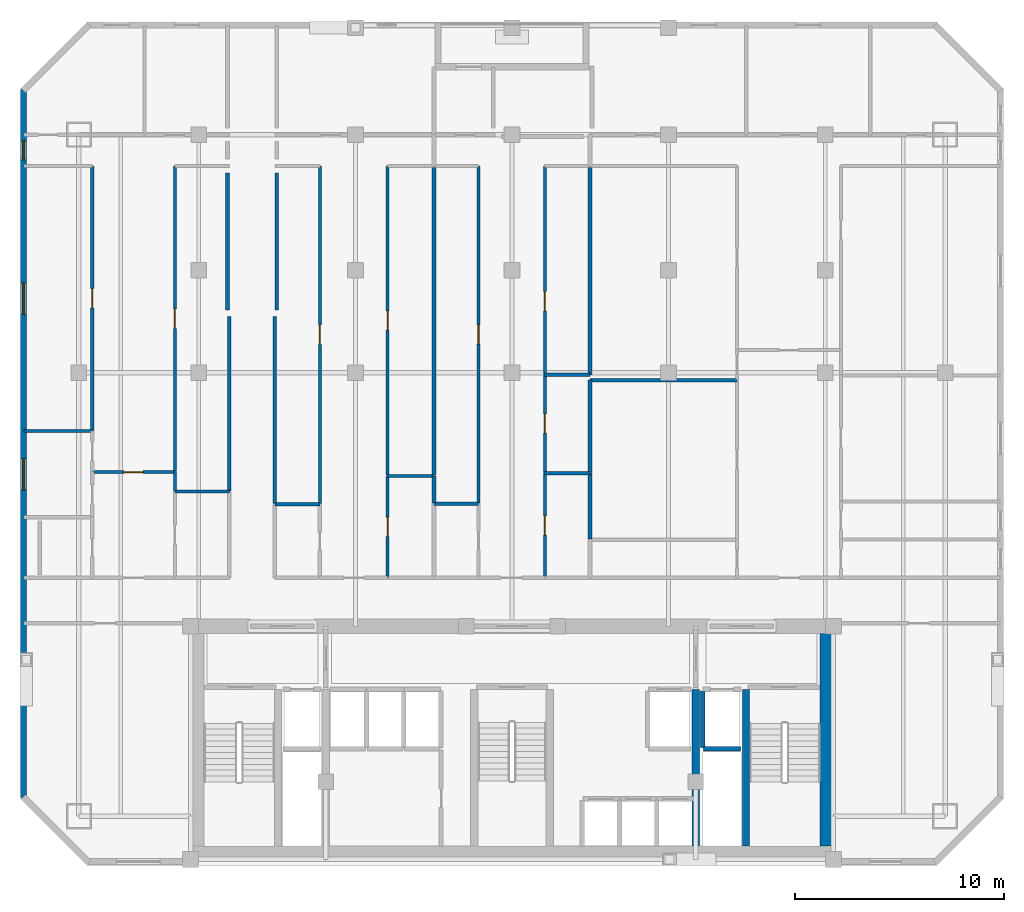
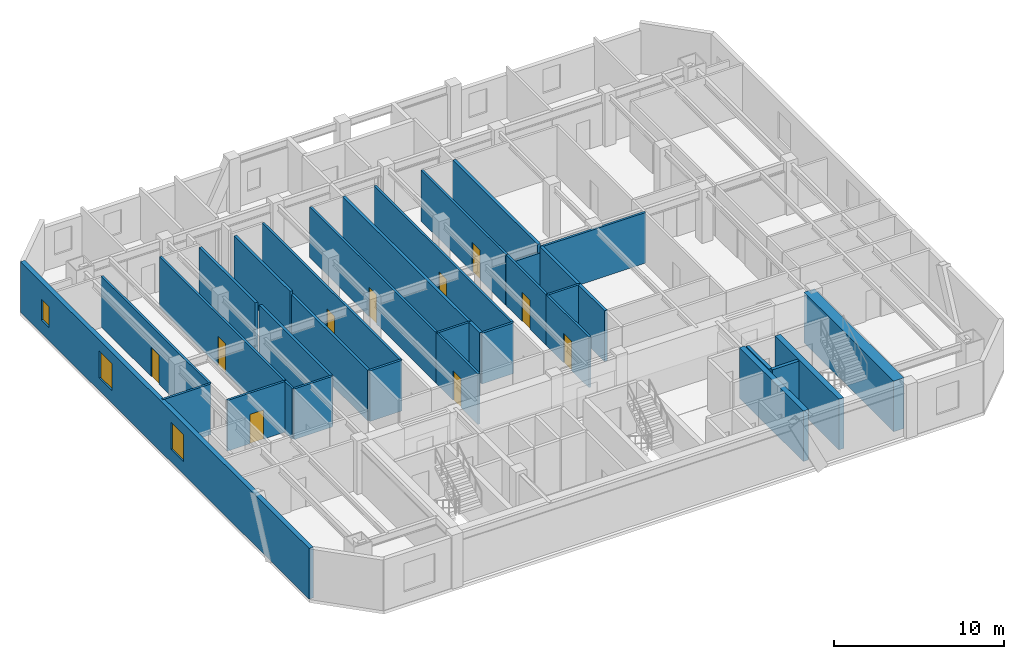
# One storey, part 4 of 8: 34 walls, 10 doors, 3 windows, 13 openings.
"""IFC4 building model written with IfcOpenShell, lengths in metres."""

from ifc_helpers import new_model, si_unit, direction, frame, frame_2d, origin, place, context, subcontext, project, spatial, rectangle, extrude, material, layer, layer_set, type_object, element, fill, save


model = new_model("IFC4")

# Units and contexts
model_context = context("Model", 3, precision=1e-05, world=origin(), true_north=direction((0.0, 1.0)))
body_context = subcontext(model_context, "Body", "Model", "MODEL_VIEW")
ifc_project = project(units=[si_unit("LENGTHUNIT", "METRE"), si_unit("AREAUNIT", "SQUARE_METRE"), si_unit("VOLUMEUNIT", "CUBIC_METRE"), si_unit("PLANEANGLEUNIT", "RADIAN"), si_unit("MASSUNIT", "GRAM", prefix="KILO")], contexts=[model_context])

# Site, building, storey
site_placement = place(None, origin())
site = spatial("IfcSite", under=ifc_project, at=site_placement, CompositionType="ELEMENT")
building_placement = place(site_placement, origin())
building = spatial("IfcBuilding", under=site, at=building_placement, Name="Ventersveld Concourse Tower", CompositionType="ELEMENT")
storey_placement = place(building_placement, frame((0.0, 0.0, 168.300048828125)))
storey = spatial("IfcBuildingStorey", under=building, at=storey_placement, Name="L41", CompositionType="ELEMENT", Elevation=168.300048828125)

# Walls
ifc_material_1 = material(Name="Concrete C60/75", Category="concrete")
ifc_layer_1 = layer(ifc_material_1, 0.35009765625)
ifc_layer_set_1 = layer_set([ifc_layer_1], Name="Concrete C60/75")
wall_type_1 = type_object("IfcWallType", Name="WL-CORE-350L", PredefinedType="SHEAR", material=ifc_layer_set_1)
for number, where, z_axis, x_axis, name in (
    (1, (37.550048828125, 0.919921875, 0.0), (0.0, 0.0, 1.0), (0.0, 1.0, 0.0), "L41 Core Internal Shear Web W-SVL-W"),
    (2, (39.9599609375, 0.919921875, 0.0), (0.0, 0.0, 1.0), (0.0, 1.0, 0.0), "L41 Core Internal Shear Web W-ST2-W"),
):
    element("IfcWall", number, at=place(storey_placement, frame(where, z_axis=z_axis, x_axis=x_axis)), inside=storey, type_object=wall_type_1, Name=name, PredefinedType="SHEAR", context=body_context, shape_type="SweptSolid", body=[
        extrude(rectangle(XDim=7.5, YDim=0.35009765625, at=frame_2d((3.75, 0.0))), origin(), (0.0, 0.0, 1.0), 3.6298828125),
    ])
ifc_layer_2 = layer(ifc_material_1, 0.699951171875)
ifc_layer_set_2 = layer_set([ifc_layer_2], Name="Concrete C60/75")
wall_type_2 = type_object("IfcWallType", Name="WL-CORE-700", PredefinedType="SHEAR", material=ifc_layer_set_2)
wall_1_placement = place(storey_placement, frame((43.85009765625, 0.919921875, 0.0), z_axis=(0.0, 0.0, 1.0), x_axis=(0.0, 1.0, 0.0)))
element("IfcWall", 3, at=wall_1_placement, inside=storey, type_object=wall_type_2, Name="L41 Rear Core East Shear Wall", PredefinedType="SHEAR", context=body_context, shape_type="SweptSolid", body=[
    extrude(rectangle(XDim=10.530029296875, YDim=0.699951171875, at=frame_2d((5.26513671875, 0.0))), origin(), (0.0, 0.0, 1.0), 3.6298828125),
])
ifc_material_2 = material(Name="Fire-rated autoclaved aerated masonry blockwork", Category="masonry")
ifc_layer_3 = layer(ifc_material_2, 0.179931640625)
ifc_layer_set_3 = layer_set([ifc_layer_3], Name="Fire-rated autoclaved aerated masonry blockwork")
wall_type_3 = type_object("IfcWallType", Name="WL-CORR-180", PredefinedType="PARTITIONING", material=ifc_layer_set_3)
wall_2_placement = place(storey_placement, frame((15.2099609375, 17.935546875, 0.0), z_axis=(0.0, 0.0, 1.0), x_axis=(0.0, 1.0, 0.0)))
element("IfcWall", 4, at=wall_2_placement, inside=storey, type_object=wall_type_3, Name="L41 Interior Partition SP-L41-COR-SP-L41-41NW-OFFR1", PredefinedType="PARTITIONING", context=body_context, shape_type="SweptSolid", body=[
    extrude(rectangle(XDim=8.359375, YDim=0.179931640625, at=frame_2d((4.1796875, 0.0))), origin(), (0.0, 0.0, 1.0), 3.6298828125),
])
wall_3_placement = place(storey_placement, frame((17.389892578125, 17.322021484375, 0.0), z_axis=(0.0, 0.0, 1.0), x_axis=(0.0, 1.0, 0.0)))
element("IfcWall", 5, at=wall_3_placement, inside=storey, type_object=wall_type_3, Name="L41 Interior Partition SP-L41-COR-SP-L41-41CW-OFFL0", PredefinedType="PARTITIONING", context=body_context, shape_type="SweptSolid", body=[
    extrude(rectangle(XDim=8.972900390625, YDim=0.179931640625, at=frame_2d((4.486328125, 0.0))), origin(), (0.0, 0.0, 1.0), 3.6298828125),
])
for number, where, z_axis, x_axis, name in (
    (6, (15.1201171875, 33.175048828125, 0.0), (0.0, 0.0, 1.0), (0.0, -1.0, 0.0), "L41 Room Enclosure Wall SP-L41-41NW-OFFR1"),
    (7, (17.47998046875, 26.60986328125, 0.0), (0.0, 0.0, 1.0), (0.0, 1.0, 0.0), "L41 Room Enclosure Wall SP-L41-41CW-OFFL0"),
):
    element("IfcWall", number, at=place(storey_placement, frame(where, z_axis=z_axis, x_axis=x_axis)), inside=storey, type_object=wall_type_3, Name=name, PredefinedType="PARTITIONING", context=body_context, shape_type="SweptSolid", body=[
        extrude(rectangle(XDim=6.565185546875, YDim=0.179931640625, at=frame_2d((3.28271484375, 0.0))), origin(), (0.0, 0.0, 1.0), 3.6298828125),
    ])
ifc_layer_4 = layer(ifc_material_2, 0.199951171875)
ifc_layer_set_4 = layer_set([ifc_layer_4], Name="Fire-rated autoclaved aerated masonry blockwork")
wall_type_4 = type_object("IfcWallType", Name="WL-DEMISE-200", PredefinedType="PARTITIONING", material=ifc_layer_set_4)
wall_4_placement = place(storey_placement, frame((25.010009765625, 17.359619140625, 0.0), z_axis=(0.0, 0.0, 1.0), x_axis=(0.0, 1.0, 0.0)))
element("IfcWall", 8, at=wall_4_placement, inside=storey, type_object=wall_type_4, Name="L41 Interior Partition SP-L41-41CW-KIT-SP-L41-41CM-OFFL0", PredefinedType="PARTITIONING", context=body_context, shape_type="SweptSolid", body=[
    extrude(rectangle(XDim=1.3017578125, YDim=0.199951171875, at=frame_2d((0.65087890625, 0.0))), origin(), (0.0, 0.0, 1.0), 3.6298828125),
])
wall_5_placement = place(storey_placement, frame((25.010009765625, 18.69140625, 0.0), z_axis=(0.0, 0.0, 1.0), x_axis=(0.0, 1.0, 0.0)))
element("IfcWall", 9, at=wall_5_placement, inside=storey, type_object=wall_type_4, Name="L41 Interior Partition SP-L41-41CW-OFFR1-SP-L41-41CM-OFFL0", PredefinedType="PARTITIONING", context=body_context, shape_type="SweptSolid", body=[
    extrude(rectangle(XDim=14.773681640625, YDim=0.199951171875, at=frame_2d((7.38671875, 0.0))), origin(), (0.0, 0.0, 1.0), 3.6298828125),
])
wall_6_placement = place(storey_placement, frame((32.489990234375, 15.635009765625, 0.0), z_axis=(0.0, 0.0, 1.0), x_axis=(0.0, 1.0, 0.0)))
element("IfcWall", 10, at=wall_6_placement, inside=storey, type_object=wall_type_4, Name="L41 Interior Partition SP-L41-41CE-OFFL0-SP-L41-41CM-KIT", PredefinedType="PARTITIONING", context=body_context, shape_type="SweptSolid", body=[
    extrude(rectangle(XDim=3.1533203125, YDim=0.199951171875, at=frame_2d((1.57666015625, 0.0))), origin(), (0.0, 0.0, 1.0), 3.6298828125),
])
wall_7_placement = place(storey_placement, frame((32.489990234375, 18.818359375, 0.0), z_axis=(0.0, 0.0, 1.0), x_axis=(0.0, 1.0, 0.0)))
element("IfcWall", 11, at=wall_7_placement, inside=storey, type_object=wall_type_4, Name="L41 Interior Partition SP-L41-41CE-OFFL0-SP-L41-41CM-PANR1", PredefinedType="PARTITIONING", context=body_context, shape_type="SweptSolid", body=[
    extrude(rectangle(XDim=4.423095703125, YDim=0.199951171875, at=frame_2d((2.21142578125, 0.0))), origin(), (0.0, 0.0, 1.0), 3.6298828125),
])
wall_8_placement = place(storey_placement, frame((32.489990234375, 23.493408203125, 0.0), z_axis=(0.0, 0.0, 1.0), x_axis=(0.0, 1.0, 0.0)))
element("IfcWall", 12, at=wall_8_placement, inside=storey, type_object=wall_type_4, Name="L41 Interior Partition SP-L41-41CE-DENL2-SP-L41-41CM-DENR", PredefinedType="PARTITIONING", context=body_context, shape_type="SweptSolid", body=[
    extrude(rectangle(XDim=9.9716796875, YDim=0.199951171875, at=frame_2d((4.98583984375, 0.0))), origin(), (0.0, 0.0, 1.0), 3.6298828125),
])
ifc_layer_5 = layer(ifc_material_2, 0.219970703125)
ifc_layer_set_5 = layer_set([ifc_layer_5], Name="Fire-rated autoclaved aerated masonry blockwork")
wall_type_5 = type_object("IfcWallType", Name="WL-HOIST-220", PredefinedType="SOLIDWALL", material=ifc_layer_set_5)
wall_9_placement = place(storey_placement, frame((37.919921875, 5.590087890625, 0.0), z_axis=(0.0, 0.0, 1.0), x_axis=(1.0, 0.0, 0.0)))
element("IfcWall", 13, at=wall_9_placement, inside=storey, type_object=wall_type_5, Name="L41 Lift Hoistway Back Wall FFL-02", PredefinedType="SOLIDWALL", context=body_context, shape_type="SweptSolid", body=[
    extrude(rectangle(XDim=1.780029296875, YDim=0.219970703125, at=frame_2d((0.89013671875, 0.0))), origin(), (0.0, 0.0, 1.0), 3.6298828125),
])
wall_10_placement = place(storey_placement, frame((37.8798828125, 5.64990234375, 0.0), z_axis=(0.0, 0.0, 1.0), x_axis=(0.0, 1.0, 0.0)))
element("IfcWall", 14, at=wall_10_placement, inside=storey, type_object=wall_type_5, Name="L41 Lift Hoistway Side Wall FFL-02W", PredefinedType="SOLIDWALL", context=body_context, shape_type="SweptSolid", body=[
    extrude(rectangle(XDim=2.7001953125, YDim=0.219970703125, at=frame_2d((1.35009765625, 0.0))), origin(), (0.0, 0.0, 1.0), 3.6298828125),
])

# Wall, opening, door
ifc_material_3 = material(Name="Autoclaved aerated masonry blockwork", Category="masonry")
ifc_layer_6 = layer(ifc_material_3, 0.14990234375)
ifc_layer_set_6 = layer_set([ifc_layer_6], Name="Autoclaved aerated masonry blockwork")
wall_type_6 = type_object("IfcWallType", Name="WL-INT-150", PredefinedType="PARTITIONING", material=ifc_layer_set_6)
wall_11_placement = place(storey_placement, frame((8.635009765625, 18.83349609375, 0.0), z_axis=(0.0, 0.0, 1.0), x_axis=(1.0, 0.0, 0.0)))
wall_11 = element("IfcWall", 15, at=wall_11_placement, inside=storey, type_object=wall_type_6, Name="L41 Interior Partition SP-L41-41NW-FOY-SP-L41-41NW-LIV", PredefinedType="PARTITIONING", context=body_context, shape_type="SweptSolid", body=[
    extrude(rectangle(XDim=3.969970703125, YDim=0.14990234375, at=frame_2d((1.98486328125, 0.0))), origin(), (0.0, 0.0, 1.0), 3.6298828125),
])
opening_1_placement = place(wall_11_placement, frame((1.52490234375, 0.0, 0.0)))
opening_1 = element("IfcOpeningElement", 16, at=opening_1_placement, cuts=wall_11, Name="Opening ID1", PredefinedType="OPENING", context=body_context, shape_type="SweptSolid", body=[
    extrude(rectangle(XDim=0.919921875, YDim=2.10009765625, at=frame_2d((0.4599609375, 1.050048828125))), frame((0.0, 0.0849609375, 0.0), z_axis=(0.0, -1.0, 0.0), x_axis=(1.0, 0.0, 0.0)), (0.0, 0.0, 1.0), 0.169921875),
])
ifc_material_4 = material(Name="Solid-core hardwood veneer timber", Category="wood")
door_type = type_object("IfcDoorType", Name="DR-ROOM-092", OperationType="NOTDEFINED", PredefinedType="DOOR", material=ifc_material_4)
door_1_placement = place(opening_1_placement, origin())
door_1 = element("IfcDoor", 17, at=door_1_placement, inside=storey, type_object=door_type, Name="L41 Interior Door SP-L41-41NW-FOY to SP-L41-41NW-LIV (D-L41-2006)", OperationType="SINGLE_SWING_RIGHT", OverallHeight=2.10009765625, OverallWidth=0.919921875, PredefinedType="DOOR", context=body_context, shape_type="SweptSolid", body=[
    extrude(rectangle(XDim=0.919921875, YDim=2.10009765625, at=frame_2d((0.4599609375, 1.050048828125))), frame((0.0, 0.02490234375, 0.0), z_axis=(0.0, -1.0, 0.0), x_axis=(1.0, 0.0, 0.0)), (0.0, 0.0, 1.0), 0.050048828125),
])
fill(opening_1, door_1)

# Wall
wall_12_placement = place(storey_placement, frame((12.60009765625, 17.935546875, 0.0), z_axis=(0.0, 0.0, 1.0), x_axis=(0.0, 1.0, 0.0)))
element("IfcWall", 18, at=wall_12_placement, inside=storey, type_object=wall_type_6, Name="L41 Interior Partition SP-L41-41NW-FOY-SP-L41-41NW-OFFR1", PredefinedType="PARTITIONING", context=body_context, shape_type="SweptSolid", body=[
    extrude(rectangle(XDim=0.90283203125, YDim=0.14990234375, at=frame_2d((0.451416015625, 0.0))), origin(), (0.0, 0.0, 1.0), 3.6298828125),
])

# Wall, opening, door
wall_13_placement = place(storey_placement, frame((8.639892578125, 20.83154296875, 0.0), z_axis=(0.0, 0.0, 1.0), x_axis=(0.0, 1.0, 0.0)))
wall_13 = element("IfcWall", 19, at=wall_13_placement, inside=storey, type_object=wall_type_6, Name="L41 Interior Partition SP-L41-41NW-LIV-SP-L41-41NW-OFFL0", PredefinedType="PARTITIONING", context=body_context, shape_type="SweptSolid", body=[
    extrude(rectangle(XDim=12.67333984375, YDim=0.14990234375, at=frame_2d((6.336669921875, 0.0))), origin(), (0.0, 0.0, 1.0), 3.6298828125),
])
opening_2_placement = place(wall_13_placement, frame((5.876708984375, 0.0, 0.0)))
opening_2 = element("IfcOpeningElement", 20, at=opening_2_placement, cuts=wall_13, Name="Opening ID1", PredefinedType="OPENING", context=body_context, shape_type="SweptSolid", body=[
    extrude(rectangle(XDim=0.919921875, YDim=2.10009765625, at=frame_2d((0.4599609375, 1.050048828125))), frame((0.0, 0.0849609375, 0.0), z_axis=(0.0, -1.0, 0.0), x_axis=(1.0, 0.0, 0.0)), (0.0, 0.0, 1.0), 0.169921875),
])
door_2_placement = place(opening_2_placement, origin())
door_2 = element("IfcDoor", 21, at=door_2_placement, inside=storey, type_object=door_type, Name="L41 Interior Door SP-L41-41NW-LIV to SP-L41-41NW-OFFL0 (D-L41-2011)", OperationType="SINGLE_SWING_LEFT", OverallHeight=2.10009765625, OverallWidth=0.919921875, PredefinedType="DOOR", context=body_context, shape_type="SweptSolid", body=[
    extrude(rectangle(XDim=0.919921875, YDim=2.10009765625, at=frame_2d((0.4599609375, 1.050048828125))), frame((0.0, 0.02490234375, 0.0), z_axis=(0.0, -1.0, 0.0), x_axis=(1.0, 0.0, 0.0)), (0.0, 0.0, 1.0), 0.050048828125),
])
fill(opening_2, door_2)

wall_14_placement = place(storey_placement, frame((12.60009765625, 18.868408203125, 0.0), z_axis=(0.0, 0.0, 1.0), x_axis=(0.0, 1.0, 0.0)))
wall_14 = element("IfcWall", 22, at=wall_14_placement, inside=storey, type_object=wall_type_6, Name="L41 Interior Partition SP-L41-41NW-LIV-SP-L41-41NW-OFFR1", PredefinedType="PARTITIONING", context=body_context, shape_type="SweptSolid", body=[
    extrude(rectangle(XDim=14.636474609375, YDim=0.14990234375, at=frame_2d((7.318359375, 0.0))), origin(), (0.0, 0.0, 1.0), 3.6298828125),
])
opening_3_placement = place(wall_14_placement, frame((6.8583984375, 0.0, 0.0)))
opening_3 = element("IfcOpeningElement", 23, at=opening_3_placement, cuts=wall_14, Name="Opening ID1", PredefinedType="OPENING", context=body_context, shape_type="SweptSolid", body=[
    extrude(rectangle(XDim=0.919921875, YDim=2.10009765625, at=frame_2d((0.4599609375, 1.050048828125))), frame((0.0, 0.0849609375, 0.0), z_axis=(0.0, -1.0, 0.0), x_axis=(1.0, 0.0, 0.0)), (0.0, 0.0, 1.0), 0.169921875),
])
door_3_placement = place(opening_3_placement, origin())
door_3 = element("IfcDoor", 24, at=door_3_placement, inside=storey, type_object=door_type, Name="L41 Interior Door SP-L41-41NW-LIV to SP-L41-41NW-OFFR1 (D-L41-2012)", OperationType="SINGLE_SWING_RIGHT", OverallHeight=2.10009765625, OverallWidth=0.919921875, PredefinedType="DOOR", context=body_context, shape_type="SweptSolid", body=[
    extrude(rectangle(XDim=0.919921875, YDim=2.10009765625, at=frame_2d((0.4599609375, 1.050048828125))), frame((0.0, 0.02490234375, 0.0), z_axis=(0.0, -1.0, 0.0), x_axis=(1.0, 0.0, 0.0)), (0.0, 0.0, 1.0), 0.050048828125),
])
fill(opening_3, door_3)

# Walls
wall_15_placement = place(storey_placement, frame((5.37255859375, 20.796630859375, 0.0), z_axis=(0.0, 0.0, 1.0), x_axis=(1.0, 0.0, 0.0)))
element("IfcWall", 25, at=wall_15_placement, inside=storey, type_object=wall_type_6, Name="L41 Interior Partition SP-L41-41NW-PANL2-SP-L41-41NW-OFFL0", PredefinedType="PARTITIONING", context=body_context, shape_type="SweptSolid", body=[
    extrude(rectangle(XDim=3.2724609375, YDim=0.14990234375, at=frame_2d((1.63623046875, 0.0))), origin(), (0.0, 0.0, 1.0), 3.6298828125),
])
wall_16_placement = place(storey_placement, frame((12.594970703125, 17.900634765625, 0.0), z_axis=(0.0, 0.0, 1.0), x_axis=(1.0, 0.0, 0.0)))
element("IfcWall", 26, at=wall_16_placement, inside=storey, type_object=wall_type_6, Name="L41 Interior Partition SP-L41-41NW-KIT-SP-L41-41NW-OFFR1", PredefinedType="PARTITIONING", context=body_context, shape_type="SweptSolid", body=[
    extrude(rectangle(XDim=2.6201171875, YDim=0.14990234375, at=frame_2d((1.31005859375, 0.0))), origin(), (0.0, 0.0, 1.0), 3.6298828125),
])

# Wall, opening, door
wall_17_placement = place(storey_placement, frame((19.5478515625, 17.322021484375, 0.0), z_axis=(0.0, 0.0, 1.0), x_axis=(0.0, 1.0, 0.0)))
wall_17 = element("IfcWall", 27, at=wall_17_placement, inside=storey, type_object=wall_type_6, Name="L41 Interior Partition SP-L41-41CW-LIV-SP-L41-41CW-OFFL0", PredefinedType="PARTITIONING", context=body_context, shape_type="SweptSolid", body=[
    extrude(rectangle(XDim=16.182861328125, YDim=0.14990234375, at=frame_2d((8.09130859375, 0.0))), origin(), (0.0, 0.0, 1.0), 3.6298828125),
])
opening_4_placement = place(wall_17_placement, frame((7.631591796875, 0.0, 0.0)))
opening_4 = element("IfcOpeningElement", 28, at=opening_4_placement, cuts=wall_17, Name="Opening ID1", PredefinedType="OPENING", context=body_context, shape_type="SweptSolid", body=[
    extrude(rectangle(XDim=0.919921875, YDim=2.10009765625, at=frame_2d((0.4599609375, 1.050048828125))), frame((0.0, 0.0849609375, 0.0), z_axis=(0.0, -1.0, 0.0), x_axis=(1.0, 0.0, 0.0)), (0.0, 0.0, 1.0), 0.169921875),
])
door_4_placement = place(opening_4_placement, origin())
door_4 = element("IfcDoor", 29, at=door_4_placement, inside=storey, type_object=door_type, Name="L41 Interior Door SP-L41-41CW-LIV to SP-L41-41CW-OFFL0 (D-L41-2016)", OperationType="SINGLE_SWING_RIGHT", OverallHeight=2.10009765625, OverallWidth=0.919921875, PredefinedType="DOOR", context=body_context, shape_type="SweptSolid", body=[
    extrude(rectangle(XDim=0.919921875, YDim=2.10009765625, at=frame_2d((0.4599609375, 1.050048828125))), frame((0.0, 0.02490234375, 0.0), z_axis=(0.0, -1.0, 0.0), x_axis=(1.0, 0.0, 0.0)), (0.0, 0.0, 1.0), 0.050048828125),
])
fill(opening_4, door_4)

wall_18_placement = place(storey_placement, frame((22.790283203125, 13.764892578125, 0.0), z_axis=(0.0, 0.0, 1.0), x_axis=(0.0, 1.0, 0.0)))
wall_18 = element("IfcWall", 30, at=wall_18_placement, inside=storey, type_object=wall_type_6, Name="L41 Interior Partition SP-L41-41CW-LIV-SP-L41-41CW-KIT", PredefinedType="PARTITIONING", context=body_context, shape_type="SweptSolid", body=[
    extrude(rectangle(XDim=4.896484375, YDim=0.14990234375, at=frame_2d((2.4482421875, 0.0))), origin(), (0.0, 0.0, 1.0), 3.6298828125),
])
opening_5_placement = place(wall_18_placement, frame((1.98828125, 0.0, 0.0)))
opening_5 = element("IfcOpeningElement", 31, at=opening_5_placement, cuts=wall_18, Name="Opening ID1", PredefinedType="OPENING", context=body_context, shape_type="SweptSolid", body=[
    extrude(rectangle(XDim=0.919921875, YDim=2.10009765625, at=frame_2d((0.4599609375, 1.050048828125))), frame((0.0, 0.0849609375, 0.0), z_axis=(0.0, -1.0, 0.0), x_axis=(1.0, 0.0, 0.0)), (0.0, 0.0, 1.0), 0.169921875),
])
door_5_placement = place(opening_5_placement, origin())
door_5 = element("IfcDoor", 32, at=door_5_placement, inside=storey, type_object=door_type, Name="L41 Interior Door SP-L41-41CW-LIV to SP-L41-41CW-KIT (D-L41-2017)", OperationType="SINGLE_SWING_LEFT", OverallHeight=2.10009765625, OverallWidth=0.919921875, PredefinedType="DOOR", context=body_context, shape_type="SweptSolid", body=[
    extrude(rectangle(XDim=0.919921875, YDim=2.10009765625, at=frame_2d((0.4599609375, 1.050048828125))), frame((0.0, 0.02490234375, 0.0), z_axis=(0.0, -1.0, 0.0), x_axis=(1.0, 0.0, 0.0)), (0.0, 0.0, 1.0), 0.050048828125),
])
fill(opening_5, door_5)

wall_19_placement = place(storey_placement, frame((22.790283203125, 18.69140625, 0.0), z_axis=(0.0, 0.0, 1.0), x_axis=(0.0, 1.0, 0.0)))
wall_19 = element("IfcWall", 33, at=wall_19_placement, inside=storey, type_object=wall_type_6, Name="L41 Interior Partition SP-L41-41CW-LIV-SP-L41-41CW-OFFR1", PredefinedType="PARTITIONING", context=body_context, shape_type="SweptSolid", body=[
    extrude(rectangle(XDim=14.8134765625, YDim=0.14990234375, at=frame_2d((7.40673828125, 0.0))), origin(), (0.0, 0.0, 1.0), 3.6298828125),
])
opening_6_placement = place(wall_19_placement, frame((6.947021484375, 0.0, 0.0)))
opening_6 = element("IfcOpeningElement", 34, at=opening_6_placement, cuts=wall_19, Name="Opening ID1", PredefinedType="OPENING", context=body_context, shape_type="SweptSolid", body=[
    extrude(rectangle(XDim=0.919921875, YDim=2.10009765625, at=frame_2d((0.4599609375, 1.050048828125))), frame((0.0, 0.0849609375, 0.0), z_axis=(0.0, -1.0, 0.0), x_axis=(1.0, 0.0, 0.0)), (0.0, 0.0, 1.0), 0.169921875),
])
door_6_placement = place(opening_6_placement, origin())
door_6 = element("IfcDoor", 35, at=door_6_placement, inside=storey, type_object=door_type, Name="L41 Interior Door SP-L41-41CW-LIV to SP-L41-41CW-OFFR1 (D-L41-2018)", OperationType="SINGLE_SWING_RIGHT", OverallHeight=2.10009765625, OverallWidth=0.919921875, PredefinedType="DOOR", context=body_context, shape_type="SweptSolid", body=[
    extrude(rectangle(XDim=0.919921875, YDim=2.10009765625, at=frame_2d((0.4599609375, 1.050048828125))), frame((0.0, 0.02490234375, 0.0), z_axis=(0.0, -1.0, 0.0), x_axis=(1.0, 0.0, 0.0)), (0.0, 0.0, 1.0), 0.050048828125),
])
fill(opening_6, door_6)

# Walls
wall_20_placement = place(storey_placement, frame((22.78515625, 18.65625, 0.0), z_axis=(0.0, 0.0, 1.0), x_axis=(1.0, 0.0, 0.0)))
element("IfcWall", 36, at=wall_20_placement, inside=storey, type_object=wall_type_6, Name="L41 Interior Partition SP-L41-41CW-KIT-SP-L41-41CW-OFFR1", PredefinedType="PARTITIONING", context=body_context, shape_type="SweptSolid", body=[
    extrude(rectangle(XDim=2.229736328125, YDim=0.14990234375, at=frame_2d((1.11474609375, 0.0))), origin(), (0.0, 0.0, 1.0), 3.6298828125),
])
wall_21_placement = place(storey_placement, frame((32.485107421875, 23.236572265625, 0.0), z_axis=(0.0, 0.0, 1.0), x_axis=(1.0, 0.0, 0.0)))
element("IfcWall", 37, at=wall_21_placement, inside=storey, type_object=wall_type_6, Name="L41 Interior Partition SP-L41-41CE-OFFL0-SP-L41-41CE-DENL2", PredefinedType="PARTITIONING", context=body_context, shape_type="SweptSolid", body=[
    extrude(rectangle(XDim=7.049072265625, YDim=0.14990234375, at=frame_2d((3.5244140625, 0.0))), origin(), (0.0, 0.0, 1.0), 3.6298828125),
])

# Wall, opening, door
wall_22_placement = place(storey_placement, frame((27.145751953125, 17.359619140625, 0.0), z_axis=(0.0, 0.0, 1.0), x_axis=(0.0, 1.0, 0.0)))
wall_22 = element("IfcWall", 38, at=wall_22_placement, inside=storey, type_object=wall_type_6, Name="L41 Interior Partition SP-L41-41CM-LIV-SP-L41-41CM-OFFL0", PredefinedType="PARTITIONING", context=body_context, shape_type="SweptSolid", body=[
    extrude(rectangle(XDim=16.145263671875, YDim=0.14990234375, at=frame_2d((8.07275390625, 0.0))), origin(), (0.0, 0.0, 1.0), 3.6298828125),
])
opening_7_placement = place(wall_22_placement, frame((7.61279296875, 0.0, 0.0)))
opening_7 = element("IfcOpeningElement", 39, at=opening_7_placement, cuts=wall_22, Name="Opening ID1", PredefinedType="OPENING", context=body_context, shape_type="SweptSolid", body=[
    extrude(rectangle(XDim=0.919921875, YDim=2.10009765625, at=frame_2d((0.4599609375, 1.050048828125))), frame((0.0, 0.0849609375, 0.0), z_axis=(0.0, -1.0, 0.0), x_axis=(1.0, 0.0, 0.0)), (0.0, 0.0, 1.0), 0.169921875),
])
door_7_placement = place(opening_7_placement, origin())
door_7 = element("IfcDoor", 40, at=door_7_placement, inside=storey, type_object=door_type, Name="L41 Interior Door SP-L41-41CM-LIV to SP-L41-41CM-OFFL0 (D-L41-2034)", OperationType="SINGLE_SWING_RIGHT", OverallHeight=2.10009765625, OverallWidth=0.919921875, PredefinedType="DOOR", context=body_context, shape_type="SweptSolid", body=[
    extrude(rectangle(XDim=0.919921875, YDim=2.10009765625, at=frame_2d((0.4599609375, 1.050048828125))), frame((0.0, 0.02490234375, 0.0), z_axis=(0.0, -1.0, 0.0), x_axis=(1.0, 0.0, 0.0)), (0.0, 0.0, 1.0), 0.050048828125),
])
fill(opening_7, door_7)

wall_23_placement = place(storey_placement, frame((30.32373046875, 13.764892578125, 0.0), z_axis=(0.0, 0.0, 1.0), x_axis=(0.0, 1.0, 0.0)))
wall_23 = element("IfcWall", 41, at=wall_23_placement, inside=storey, type_object=wall_type_6, Name="L41 Interior Partition SP-L41-41CM-LIV-SP-L41-41CM-KIT", PredefinedType="PARTITIONING", context=body_context, shape_type="SweptSolid", body=[
    extrude(rectangle(XDim=5.0234375, YDim=0.14990234375, at=frame_2d((2.51171875, 0.0))), origin(), (0.0, 0.0, 1.0), 3.6298828125),
])
opening_8_placement = place(wall_23_placement, frame((2.0517578125, 0.0, 0.0)))
opening_8 = element("IfcOpeningElement", 42, at=opening_8_placement, cuts=wall_23, Name="Opening ID1", PredefinedType="OPENING", context=body_context, shape_type="SweptSolid", body=[
    extrude(rectangle(XDim=0.919921875, YDim=2.10009765625, at=frame_2d((0.4599609375, 1.050048828125))), frame((0.0, 0.0849609375, 0.0), z_axis=(0.0, -1.0, 0.0), x_axis=(1.0, 0.0, 0.0)), (0.0, 0.0, 1.0), 0.169921875),
])
door_8_placement = place(opening_8_placement, origin())
door_8 = element("IfcDoor", 43, at=door_8_placement, inside=storey, type_object=door_type, Name="L41 Interior Door SP-L41-41CM-LIV to SP-L41-41CM-KIT (D-L41-2035)", OperationType="SINGLE_SWING_LEFT", OverallHeight=2.10009765625, OverallWidth=0.919921875, PredefinedType="DOOR", context=body_context, shape_type="SweptSolid", body=[
    extrude(rectangle(XDim=0.919921875, YDim=2.10009765625, at=frame_2d((0.4599609375, 1.050048828125))), frame((0.0, 0.02490234375, 0.0), z_axis=(0.0, -1.0, 0.0), x_axis=(1.0, 0.0, 0.0)), (0.0, 0.0, 1.0), 0.050048828125),
])
fill(opening_8, door_8)

wall_24_placement = place(storey_placement, frame((30.32373046875, 18.818359375, 0.0), z_axis=(0.0, 0.0, 1.0), x_axis=(0.0, 1.0, 0.0)))
wall_24 = element("IfcWall", 44, at=wall_24_placement, inside=storey, type_object=wall_type_6, Name="L41 Interior Partition SP-L41-41CM-LIV-SP-L41-41CM-PANR1", PredefinedType="PARTITIONING", context=body_context, shape_type="SweptSolid", body=[
    extrude(rectangle(XDim=4.68505859375, YDim=0.14990234375, at=frame_2d((2.342529296875, 0.0))), origin(), (0.0, 0.0, 1.0), 3.6298828125),
])
opening_9_placement = place(wall_24_placement, frame((1.88232421875, 0.0, 0.0)))
opening_9 = element("IfcOpeningElement", 45, at=opening_9_placement, cuts=wall_24, Name="Opening ID1", PredefinedType="OPENING", context=body_context, shape_type="SweptSolid", body=[
    extrude(rectangle(XDim=0.919921875, YDim=2.10009765625, at=frame_2d((0.4599609375, 1.050048828125))), frame((0.0, 0.0849609375, 0.0), z_axis=(0.0, -1.0, 0.0), x_axis=(1.0, 0.0, 0.0)), (0.0, 0.0, 1.0), 0.169921875),
])
door_9_placement = place(opening_9_placement, origin())
door_9 = element("IfcDoor", 46, at=door_9_placement, inside=storey, type_object=door_type, Name="L41 Interior Door SP-L41-41CM-LIV to SP-L41-41CM-PANR1 (D-L41-2036)", OperationType="SINGLE_SWING_RIGHT", OverallHeight=2.10009765625, OverallWidth=0.919921875, PredefinedType="DOOR", context=body_context, shape_type="SweptSolid", body=[
    extrude(rectangle(XDim=0.919921875, YDim=2.10009765625, at=frame_2d((0.4599609375, 1.050048828125))), frame((0.0, 0.02490234375, 0.0), z_axis=(0.0, -1.0, 0.0), x_axis=(1.0, 0.0, 0.0)), (0.0, 0.0, 1.0), 0.050048828125),
])
fill(opening_9, door_9)

wall_25_placement = place(storey_placement, frame((30.32373046875, 23.533203125, 0.0), z_axis=(0.0, 0.0, 1.0), x_axis=(0.0, 1.0, 0.0)))
wall_25 = element("IfcWall", 47, at=wall_25_placement, inside=storey, type_object=wall_type_6, Name="L41 Interior Partition SP-L41-41CM-LIV-SP-L41-41CM-DENR", PredefinedType="PARTITIONING", context=body_context, shape_type="SweptSolid", body=[
    extrude(rectangle(XDim=9.9716796875, YDim=0.14990234375, at=frame_2d((4.98583984375, 0.0))), origin(), (0.0, 0.0, 1.0), 3.6298828125),
])
opening_10_placement = place(wall_25_placement, frame((3.030029296875, 0.0, 0.0)))
opening_10 = element("IfcOpeningElement", 48, at=opening_10_placement, cuts=wall_25, Name="Opening ID1", PredefinedType="OPENING", context=body_context, shape_type="SweptSolid", body=[
    extrude(rectangle(XDim=0.919921875, YDim=2.10009765625, at=frame_2d((0.4599609375, 1.050048828125))), frame((0.0, 0.0849609375, 0.0), z_axis=(0.0, -1.0, 0.0), x_axis=(1.0, 0.0, 0.0)), (0.0, 0.0, 1.0), 0.169921875),
])
door_10_placement = place(opening_10_placement, origin())
door_10 = element("IfcDoor", 49, at=door_10_placement, inside=storey, type_object=door_type, Name="L41 Interior Door SP-L41-41CM-LIV to SP-L41-41CM-DENR (D-L41-2037)", OperationType="SINGLE_SWING_LEFT", OverallHeight=2.10009765625, OverallWidth=0.919921875, PredefinedType="DOOR", context=body_context, shape_type="SweptSolid", body=[
    extrude(rectangle(XDim=0.919921875, YDim=2.10009765625, at=frame_2d((0.4599609375, 1.050048828125))), frame((0.0, 0.02490234375, 0.0), z_axis=(0.0, -1.0, 0.0), x_axis=(1.0, 0.0, 0.0)), (0.0, 0.0, 1.0), 0.050048828125),
])
fill(opening_10, door_10)

# Walls
wall_26_placement = place(storey_placement, frame((30.31884765625, 18.783447265625, 0.0), z_axis=(0.0, 0.0, 1.0), x_axis=(1.0, 0.0, 0.0)))
element("IfcWall", 50, at=wall_26_placement, inside=storey, type_object=wall_type_6, Name="L41 Interior Partition SP-L41-41CM-KIT-SP-L41-41CM-PANR1", PredefinedType="PARTITIONING", context=body_context, shape_type="SweptSolid", body=[
    extrude(rectangle(XDim=2.17626953125, YDim=0.14990234375, at=frame_2d((1.088134765625, 0.0))), origin(), (0.0, 0.0, 1.0), 3.6298828125),
])
wall_27_placement = place(storey_placement, frame((30.31884765625, 23.498291015625, 0.0), z_axis=(0.0, 0.0, 1.0), x_axis=(1.0, 0.0, 0.0)))
element("IfcWall", 51, at=wall_27_placement, inside=storey, type_object=wall_type_6, Name="L41 Interior Partition SP-L41-41CM-PANR1-SP-L41-41CM-DENR", PredefinedType="PARTITIONING", context=body_context, shape_type="SweptSolid", body=[
    extrude(rectangle(XDim=2.17626953125, YDim=0.14990234375, at=frame_2d((1.088134765625, 0.0))), origin(), (0.0, 0.0, 1.0), 3.0126953125),
])

# Wall, openings, windows
ifc_material_5 = material(Name="Precast concrete C45/55", Category="concrete")
ifc_layer_7 = layer(ifc_material_5, 0.300048828125)
ifc_layer_set_7 = layer_set([ifc_layer_7], Name="Precast concrete C45/55")
wall_type_7 = type_object("IfcWallType", Name="WL-PREC-300", PredefinedType="SOLIDWALL", material=ifc_layer_set_7)
wall_28_placement = place(storey_placement, frame((5.35009765625, 37.159912109375, 0.0), z_axis=(0.0, 0.0, 1.0), x_axis=(0.0, -1.0, 0.0)))
wall_28 = element("IfcWall", 52, at=wall_28_placement, inside=storey, type_object=wall_type_7, Name="L41 Highveld Precast Facade Wall E11", PredefinedType="SOLIDWALL", context=body_context, shape_type="SweptSolid", body=[
    extrude(rectangle(XDim=33.919921875, YDim=0.300048828125, at=frame_2d((16.9599609375, 0.0))), origin(), (0.0, 0.0, 1.0), 3.6298828125),
])
opening_11_placement = place(wall_28_placement, frame((2.4599609375, 0.0, 0.949951171875)))
opening_11 = element("IfcOpeningElement", 53, at=opening_11_placement, cuts=wall_28, Name="Opening W4", PredefinedType="OPENING", context=body_context, shape_type="SweptSolid", body=[
    extrude(rectangle(XDim=0.89990234375, YDim=1.5, at=frame_2d((0.449951171875, 0.75))), frame((0.0, 0.16015625, 0.0), z_axis=(0.0, -1.0, 0.0), x_axis=(1.0, 0.0, 0.0)), (0.0, 0.0, 1.0), 0.320068359375),
])
opening_12_placement = place(wall_28_placement, frame((17.6787109375, 0.0, 0.89990234375)))
opening_12 = element("IfcOpeningElement", 54, at=opening_12_placement, cuts=wall_28, Name="Opening W1", PredefinedType="OPENING", context=body_context, shape_type="SweptSolid", body=[
    extrude(rectangle(XDim=1.5, YDim=1.949951171875, at=frame_2d((0.75, 0.97509765625))), frame((0.0, 0.16015625, 0.0), z_axis=(0.0, -1.0, 0.0), x_axis=(1.0, 0.0, 0.0)), (0.0, 0.0, 1.0), 0.320068359375),
])
opening_13_placement = place(wall_28_placement, frame((9.26171875, 0.0, 0.89990234375)))
opening_13 = element("IfcOpeningElement", 55, at=opening_13_placement, cuts=wall_28, Name="Opening W1", PredefinedType="OPENING", context=body_context, shape_type="SweptSolid", body=[
    extrude(rectangle(XDim=1.5, YDim=1.949951171875, at=frame_2d((0.75, 0.97509765625))), frame((0.0, 0.16015625, 0.0), z_axis=(0.0, -1.0, 0.0), x_axis=(1.0, 0.0, 0.0)), (0.0, 0.0, 1.0), 0.320068359375),
])
ifc_material_6 = material(Name="Tempered acoustic Low-E IGU", Category="glass")
window_type_1 = type_object("IfcWindowType", Name="WIN-090x150", PartitioningType="SINGLE_PANEL", PredefinedType="WINDOW", material=ifc_material_6)
window_1_placement = place(opening_11_placement, origin())
window_1 = element("IfcWindow", 56, at=window_1_placement, inside=storey, type_object=window_type_1, Name="L41 Punched Low-E Window W-0549", OverallHeight=1.5, OverallWidth=0.89990234375, PartitioningType="SINGLE_PANEL", PredefinedType="WINDOW", context=body_context, shape_type="SweptSolid", body=[
    extrude(rectangle(XDim=0.89990234375, YDim=1.5, at=frame_2d((0.449951171875, 0.75))), frame((0.0, 0.030029296875, 0.0), z_axis=(0.0, -1.0, 0.0), x_axis=(1.0, 0.0, 0.0)), (0.0, 0.0, 1.0), 0.06005859375),
])
fill(opening_11, window_1)
window_type_2 = type_object("IfcWindowType", Name="WIN-150x210", PartitioningType="SINGLE_PANEL", PredefinedType="WINDOW", material=ifc_material_6)
window_2_placement = place(opening_12_placement, origin())
window_2 = element("IfcWindow", 57, at=window_2_placement, inside=storey, type_object=window_type_2, Name="L41 Punched Low-E Window W-0550", OverallHeight=1.949951171875, OverallWidth=1.5, PartitioningType="SINGLE_PANEL", PredefinedType="WINDOW", context=body_context, shape_type="SweptSolid", body=[
    extrude(rectangle(XDim=1.5, YDim=1.949951171875, at=frame_2d((0.75, 0.97509765625))), frame((0.0, 0.030029296875, 0.0), z_axis=(0.0, -1.0, 0.0), x_axis=(1.0, 0.0, 0.0)), (0.0, 0.0, 1.0), 0.06005859375),
])
fill(opening_12, window_2)
window_3_placement = place(opening_13_placement, origin())
window_3 = element("IfcWindow", 58, at=window_3_placement, inside=storey, type_object=window_type_2, Name="L41 Punched Low-E Window W-0551", OverallHeight=1.949951171875, OverallWidth=1.5, PartitioningType="SINGLE_PANEL", PredefinedType="WINDOW", context=body_context, shape_type="SweptSolid", body=[
    extrude(rectangle(XDim=1.5, YDim=1.949951171875, at=frame_2d((0.75, 0.97509765625))), frame((0.0, 0.030029296875, 0.0), z_axis=(0.0, -1.0, 0.0), x_axis=(1.0, 0.0, 0.0)), (0.0, 0.0, 1.0), 0.06005859375),
])
fill(opening_13, window_3)

# Walls
ifc_layer_8 = layer(ifc_material_3, 0.1650390625)
ifc_layer_set_8 = layer_set([ifc_layer_8], Name="Autoclaved aerated masonry blockwork")
wall_type_8 = type_object("IfcWallType", Name="WL-WET-165", PredefinedType="PLUMBINGWALL", material=ifc_layer_set_8)
wall_29_placement = place(storey_placement, frame((17.385009765625, 17.287109375, 0.0), z_axis=(0.0, 0.0, 1.0), x_axis=(1.0, 0.0, 0.0)))
element("IfcWall", 59, at=wall_29_placement, inside=storey, type_object=wall_type_8, Name="L41 Interior Partition SP-L41-41CW-BATH-SP-L41-41CW-OFFL0", PredefinedType="PLUMBINGWALL", context=body_context, shape_type="SweptSolid", body=[
    extrude(rectangle(XDim=2.167724609375, YDim=0.1650390625, at=frame_2d((1.083984375, 0.0))), origin(), (0.0, 0.0, 1.0), 3.6298828125),
])
wall_30_placement = place(storey_placement, frame((25.0048828125, 17.32470703125, 0.0), z_axis=(0.0, 0.0, 1.0), x_axis=(1.0, 0.0, 0.0)))
element("IfcWall", 60, at=wall_30_placement, inside=storey, type_object=wall_type_8, Name="L41 Interior Partition SP-L41-41CM-BATH-SP-L41-41CM-OFFL0", PredefinedType="PLUMBINGWALL", context=body_context, shape_type="SweptSolid", body=[
    extrude(rectangle(XDim=2.14599609375, YDim=0.1650390625, at=frame_2d((1.072998046875, 0.0))), origin(), (0.0, 0.0, 1.0), 3.6298828125),
])

save(model, "model.ifc")
